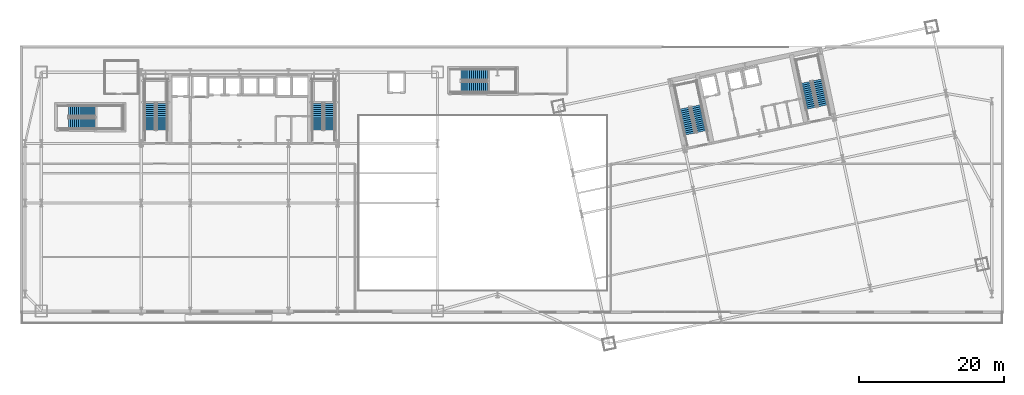
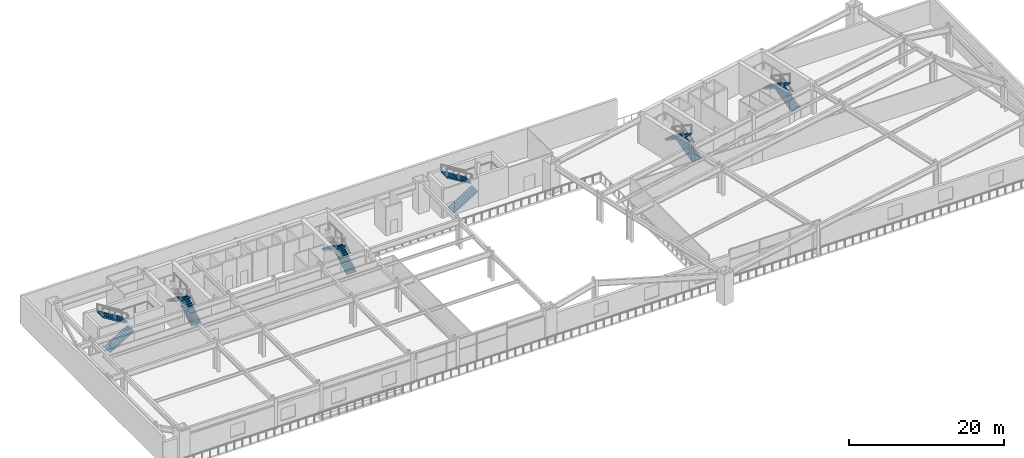
# One storey, part 16 of 28: 12 stair flights, 6 elements without a shape of their own.
"""IFC4 building model written with IfcOpenShell, lengths in metres."""

from ifc_helpers import new_model, si_unit, direction, frame, origin, place, context, subcontext, project, spatial, polyline, outline, extrude, material, type_object, element, aggregate, save


model = new_model("IFC4")

# Units and contexts
model_context = context("Model", 3, precision=1e-05, world=origin(), true_north=direction((0.0, 1.0)))
body_context = subcontext(model_context, "Body", "Model", "MODEL_VIEW")
ifc_project = project(units=[si_unit("LENGTHUNIT", "METRE"), si_unit("AREAUNIT", "SQUARE_METRE"), si_unit("VOLUMEUNIT", "CUBIC_METRE"), si_unit("PLANEANGLEUNIT", "RADIAN"), si_unit("MASSUNIT", "GRAM", prefix="KILO")], contexts=[model_context])

# Site, building, storey
site_placement = place(None, origin())
site = spatial("IfcSite", under=ifc_project, at=site_placement, CompositionType="ELEMENT")
building_placement = place(site_placement, origin())
building = spatial("IfcBuilding", under=site, at=building_placement, Name="Haevon Station Towers", CompositionType="ELEMENT")
storey_placement = place(building_placement, frame((0.0, 0.0, 10.800048828125)))
storey = spatial("IfcBuildingStorey", under=building, at=storey_placement, Name="L02", CompositionType="ELEMENT", Elevation=10.800048828125)

# Stair, stair flights
ifc_material = material(Name="Concrete C40/50", Category="concrete")
stair_type_1 = type_object("IfcStairType", Name="STR-DL1450", PredefinedType="USERDEFINED", material=ifc_material)
stair_1_placement = place(storey_placement, origin())
stair_1 = element("IfcStair", 1, at=stair_1_placement, inside=storey, type_object=stair_type_1, Name="L02 Escape Stair ST1", ObjectType="TWO_RETURN_STAIR", PredefinedType="USERDEFINED")
stair_flight_type_1 = type_object("IfcStairFlightType", Name="STF-ST1450", PredefinedType="STRAIGHT", material=ifc_material)
stair_flight_1_placement = place(storey_placement, frame((26.85498046875, 40.050048828125, 0.0), z_axis=(0.0, 0.0, 1.0), x_axis=(0.0, 1.0, 0.0)))
stair_flight_1 = element("IfcStairFlight", 2, at=stair_flight_1_placement, type_object=stair_flight_type_1, Name="L02 ST1 Flight 1", NumberOfRisers=14, NumberOfTreads=13, PredefinedType="STRAIGHT", RiserHeight=0.171428571, TreadLength=0.28, context=body_context, shape_type="SweptSolid", body=[
    extrude(outline(polyline([(0.0, 0.0), (0.0, 0.17138671875), (0.280029296875, 0.17138671875), (0.280029296875, 0.3427734375), (0.56005859375, 0.3427734375), (0.56005859375, 0.514404296875), (0.840087890625, 0.514404296875), (0.840087890625, 0.685791015625), (1.1201171875, 0.685791015625), (1.1201171875, 0.857177734375), (1.39990234375, 0.857177734375), (1.39990234375, 1.028564453125), (1.679931640625, 1.028564453125), (1.679931640625, 1.199951171875), (1.9599609375, 1.199951171875), (1.9599609375, 1.371337890625), (2.239990234375, 1.371337890625), (2.239990234375, 1.54296875), (2.52001953125, 1.54296875), (2.52001953125, 1.71435546875), (2.800048828125, 1.71435546875), (2.800048828125, 1.8857421875), (3.080078125, 1.8857421875), (3.080078125, 2.05712890625), (3.360107421875, 2.05712890625), (3.360107421875, 2.228515625), (3.639892578125, 2.228515625), (3.639892578125, 2.39990234375), (3.639892578125, 2.041015625), (0.30615234375, 0.0), (0.0, 0.0)])), frame((0.0, 0.72509765625, 0.0), z_axis=(0.0, -1.0, 0.0), x_axis=(1.0, 0.0, 0.0)), (0.0, 0.0, 1.0), 1.449951171875),
])
stair_flight_2_placement = place(storey_placement, frame((25.205078125, 43.68994140625, 2.39990234375), z_axis=(0.0, 0.0, 1.0), x_axis=(0.0, -1.0, 0.0)))
stair_flight_2 = element("IfcStairFlight", 3, at=stair_flight_2_placement, type_object=stair_flight_type_1, Name="L02 ST1 Flight 2", NumberOfRisers=14, NumberOfTreads=13, PredefinedType="STRAIGHT", RiserHeight=0.171428571, TreadLength=0.28, context=body_context, shape_type="SweptSolid", body=[
    extrude(outline(polyline([(0.0, 0.0), (0.0, 0.17138671875), (0.280029296875, 0.17138671875), (0.280029296875, 0.3427734375), (0.56005859375, 0.3427734375), (0.56005859375, 0.514404296875), (0.840087890625, 0.514404296875), (0.840087890625, 0.685791015625), (1.1201171875, 0.685791015625), (1.1201171875, 0.857177734375), (1.39990234375, 0.857177734375), (1.39990234375, 1.028564453125), (1.679931640625, 1.028564453125), (1.679931640625, 1.199951171875), (1.9599609375, 1.199951171875), (1.9599609375, 1.371337890625), (2.239990234375, 1.371337890625), (2.239990234375, 1.54296875), (2.52001953125, 1.54296875), (2.52001953125, 1.71435546875), (2.800048828125, 1.71435546875), (2.800048828125, 1.8857421875), (3.080078125, 1.8857421875), (3.080078125, 2.05712890625), (3.360107421875, 2.05712890625), (3.360107421875, 2.228515625), (3.639892578125, 2.228515625), (3.639892578125, 2.39990234375), (3.639892578125, 2.041015625), (0.30615234375, 0.0), (0.0, 0.0)])), frame((0.0, 0.72509765625, 0.0), z_axis=(0.0, -1.0, 0.0), x_axis=(1.0, 0.0, 0.0)), (0.0, 0.0, 1.0), 1.449951171875),
])
aggregate(stair_1, [stair_flight_1, stair_flight_2])

stair_2_placement = place(storey_placement, origin())
stair_2 = element("IfcStair", 4, at=stair_2_placement, inside=storey, type_object=stair_type_1, Name="L02 Escape Stair ST2", ObjectType="TWO_RETURN_STAIR", PredefinedType="USERDEFINED")
stair_flight_3_placement = place(storey_placement, frame((49.89501953125, 40.050048828125, 0.0), z_axis=(0.0, 0.0, 1.0), x_axis=(0.0, 1.0, 0.0)))
stair_flight_3 = element("IfcStairFlight", 5, at=stair_flight_3_placement, type_object=stair_flight_type_1, Name="L02 ST2 Flight 1", NumberOfRisers=14, NumberOfTreads=13, PredefinedType="STRAIGHT", RiserHeight=0.171428571, TreadLength=0.28, context=body_context, shape_type="SweptSolid", body=[
    extrude(outline(polyline([(0.0, 0.0), (0.0, 0.17138671875), (0.280029296875, 0.17138671875), (0.280029296875, 0.3427734375), (0.56005859375, 0.3427734375), (0.56005859375, 0.514404296875), (0.840087890625, 0.514404296875), (0.840087890625, 0.685791015625), (1.1201171875, 0.685791015625), (1.1201171875, 0.857177734375), (1.39990234375, 0.857177734375), (1.39990234375, 1.028564453125), (1.679931640625, 1.028564453125), (1.679931640625, 1.199951171875), (1.9599609375, 1.199951171875), (1.9599609375, 1.371337890625), (2.239990234375, 1.371337890625), (2.239990234375, 1.54296875), (2.52001953125, 1.54296875), (2.52001953125, 1.71435546875), (2.800048828125, 1.71435546875), (2.800048828125, 1.8857421875), (3.080078125, 1.8857421875), (3.080078125, 2.05712890625), (3.360107421875, 2.05712890625), (3.360107421875, 2.228515625), (3.639892578125, 2.228515625), (3.639892578125, 2.39990234375), (3.639892578125, 2.041015625), (0.30615234375, 0.0), (0.0, 0.0)])), frame((0.0, 0.72509765625, 0.0), z_axis=(0.0, -1.0, 0.0), x_axis=(1.0, 0.0, 0.0)), (0.0, 0.0, 1.0), 1.449951171875),
])
stair_flight_4_placement = place(storey_placement, frame((48.2451171875, 43.68994140625, 2.39990234375), z_axis=(0.0, 0.0, 1.0), x_axis=(0.0, -1.0, 0.0)))
stair_flight_4 = element("IfcStairFlight", 6, at=stair_flight_4_placement, type_object=stair_flight_type_1, Name="L02 ST2 Flight 2", NumberOfRisers=14, NumberOfTreads=13, PredefinedType="STRAIGHT", RiserHeight=0.171428571, TreadLength=0.28, context=body_context, shape_type="SweptSolid", body=[
    extrude(outline(polyline([(0.0, 0.0), (0.0, 0.17138671875), (0.280029296875, 0.17138671875), (0.280029296875, 0.3427734375), (0.56005859375, 0.3427734375), (0.56005859375, 0.514404296875), (0.840087890625, 0.514404296875), (0.840087890625, 0.685791015625), (1.1201171875, 0.685791015625), (1.1201171875, 0.857177734375), (1.39990234375, 0.857177734375), (1.39990234375, 1.028564453125), (1.679931640625, 1.028564453125), (1.679931640625, 1.199951171875), (1.9599609375, 1.199951171875), (1.9599609375, 1.371337890625), (2.239990234375, 1.371337890625), (2.239990234375, 1.54296875), (2.52001953125, 1.54296875), (2.52001953125, 1.71435546875), (2.800048828125, 1.71435546875), (2.800048828125, 1.8857421875), (3.080078125, 1.8857421875), (3.080078125, 2.05712890625), (3.360107421875, 2.05712890625), (3.360107421875, 2.228515625), (3.639892578125, 2.228515625), (3.639892578125, 2.39990234375), (3.639892578125, 2.041015625), (0.30615234375, 0.0), (0.0, 0.0)])), frame((0.0, 0.72509765625, 0.0), z_axis=(0.0, -1.0, 0.0), x_axis=(1.0, 0.0, 0.0)), (0.0, 0.0, 1.0), 1.449951171875),
])
aggregate(stair_2, [stair_flight_3, stair_flight_4])

stair_3_placement = place(storey_placement, origin())
stair_3 = element("IfcStair", 7, at=stair_3_placement, inside=storey, type_object=stair_type_1, Name="L02 Escape Stair ST3", ObjectType="TWO_RETURN_STAIR", PredefinedType="USERDEFINED")
stair_flight_5_placement = place(storey_placement, frame((101.1015625, 39.8330078125, 0.0), z_axis=(0.0, 0.0, 1.0), x_axis=(-0.207911690818, 0.978147600734, 0.0)))
stair_flight_5 = element("IfcStairFlight", 8, at=stair_flight_5_placement, type_object=stair_flight_type_1, Name="L02 ST3 Flight 1", NumberOfRisers=14, NumberOfTreads=13, PredefinedType="STRAIGHT", RiserHeight=0.171428571, TreadLength=0.28, context=body_context, shape_type="SweptSolid", body=[
    extrude(outline(polyline([(0.0, 0.0), (0.0, 0.17138671875), (0.280029296875, 0.17138671875), (0.280029296875, 0.3427734375), (0.56005859375, 0.3427734375), (0.56005859375, 0.514404296875), (0.840087890625, 0.514404296875), (0.840087890625, 0.685791015625), (1.1201171875, 0.685791015625), (1.1201171875, 0.857177734375), (1.39990234375, 0.857177734375), (1.39990234375, 1.028564453125), (1.679931640625, 1.028564453125), (1.679931640625, 1.199951171875), (1.9599609375, 1.199951171875), (1.9599609375, 1.371337890625), (2.239990234375, 1.371337890625), (2.239990234375, 1.54296875), (2.52001953125, 1.54296875), (2.52001953125, 1.71435546875), (2.800048828125, 1.71435546875), (2.800048828125, 1.8857421875), (3.080078125, 1.8857421875), (3.080078125, 2.05712890625), (3.360107421875, 2.05712890625), (3.360107421875, 2.228515625), (3.639892578125, 2.228515625), (3.639892578125, 2.39990234375), (3.639892578125, 2.041015625), (0.30615234375, 0.0), (0.0, 0.0)])), frame((0.0, 0.72509765625, 0.0), z_axis=(0.0, -1.0, 0.0), x_axis=(1.0, 0.0, 0.0)), (0.0, 0.0, 1.0), 1.449951171875),
])
stair_flight_6_placement = place(storey_placement, frame((98.73095703125, 43.050537109375, 2.39990234375), z_axis=(0.0, 0.0, 1.0), x_axis=(0.207911690818, -0.978147600734, 0.0)))
stair_flight_6 = element("IfcStairFlight", 9, at=stair_flight_6_placement, type_object=stair_flight_type_1, Name="L02 ST3 Flight 2", NumberOfRisers=14, NumberOfTreads=13, PredefinedType="STRAIGHT", RiserHeight=0.171428571, TreadLength=0.28, context=body_context, shape_type="SweptSolid", body=[
    extrude(outline(polyline([(0.0, 0.0), (0.0, 0.17138671875), (0.280029296875, 0.17138671875), (0.280029296875, 0.3427734375), (0.56005859375, 0.3427734375), (0.56005859375, 0.514404296875), (0.840087890625, 0.514404296875), (0.840087890625, 0.685791015625), (1.1201171875, 0.685791015625), (1.1201171875, 0.857177734375), (1.39990234375, 0.857177734375), (1.39990234375, 1.028564453125), (1.679931640625, 1.028564453125), (1.679931640625, 1.199951171875), (1.9599609375, 1.199951171875), (1.9599609375, 1.371337890625), (2.239990234375, 1.371337890625), (2.239990234375, 1.54296875), (2.52001953125, 1.54296875), (2.52001953125, 1.71435546875), (2.800048828125, 1.71435546875), (2.800048828125, 1.8857421875), (3.080078125, 1.8857421875), (3.080078125, 2.05712890625), (3.360107421875, 2.05712890625), (3.360107421875, 2.228515625), (3.639892578125, 2.228515625), (3.639892578125, 2.39990234375), (3.639892578125, 2.041015625), (0.30615234375, 0.0), (0.0, 0.0)])), frame((0.0, 0.72509765625, 0.0), z_axis=(0.0, -1.0, 0.0), x_axis=(1.0, 0.0, 0.0)), (0.0, 0.0, 1.0), 1.449951171875),
])
aggregate(stair_3, [stair_flight_5, stair_flight_6])

stair_4_placement = place(storey_placement, origin())
stair_4 = element("IfcStair", 10, at=stair_4_placement, inside=storey, type_object=stair_type_1, Name="L02 Escape Stair ST4", ObjectType="TWO_RETURN_STAIR", PredefinedType="USERDEFINED")
stair_flight_7_placement = place(storey_placement, frame((117.788818359375, 43.380126953125, 0.0), z_axis=(0.0, 0.0, 1.0), x_axis=(-0.207911690818, 0.978147600734, 0.0)))
stair_flight_7 = element("IfcStairFlight", 11, at=stair_flight_7_placement, type_object=stair_flight_type_1, Name="L02 ST4 Flight 1", NumberOfRisers=14, NumberOfTreads=13, PredefinedType="STRAIGHT", RiserHeight=0.171428571, TreadLength=0.28, context=body_context, shape_type="SweptSolid", body=[
    extrude(outline(polyline([(0.0, 0.0), (0.0, 0.17138671875), (0.280029296875, 0.17138671875), (0.280029296875, 0.3427734375), (0.56005859375, 0.3427734375), (0.56005859375, 0.514404296875), (0.840087890625, 0.514404296875), (0.840087890625, 0.685791015625), (1.1201171875, 0.685791015625), (1.1201171875, 0.857177734375), (1.39990234375, 0.857177734375), (1.39990234375, 1.028564453125), (1.679931640625, 1.028564453125), (1.679931640625, 1.199951171875), (1.9599609375, 1.199951171875), (1.9599609375, 1.371337890625), (2.239990234375, 1.371337890625), (2.239990234375, 1.54296875), (2.52001953125, 1.54296875), (2.52001953125, 1.71435546875), (2.800048828125, 1.71435546875), (2.800048828125, 1.8857421875), (3.080078125, 1.8857421875), (3.080078125, 2.05712890625), (3.360107421875, 2.05712890625), (3.360107421875, 2.228515625), (3.639892578125, 2.228515625), (3.639892578125, 2.39990234375), (3.639892578125, 2.041015625), (0.30615234375, 0.0), (0.0, 0.0)])), frame((0.0, 0.72509765625, 0.0), z_axis=(0.0, -1.0, 0.0), x_axis=(1.0, 0.0, 0.0)), (0.0, 0.0, 1.0), 1.449951171875),
])
stair_flight_8_placement = place(storey_placement, frame((115.418212890625, 46.597412109375, 2.39990234375), z_axis=(0.0, 0.0, 1.0), x_axis=(0.207911690818, -0.978147600734, 0.0)))
stair_flight_8 = element("IfcStairFlight", 12, at=stair_flight_8_placement, type_object=stair_flight_type_1, Name="L02 ST4 Flight 2", NumberOfRisers=14, NumberOfTreads=13, PredefinedType="STRAIGHT", RiserHeight=0.171428571, TreadLength=0.28, context=body_context, shape_type="SweptSolid", body=[
    extrude(outline(polyline([(0.0, 0.0), (0.0, 0.17138671875), (0.280029296875, 0.17138671875), (0.280029296875, 0.3427734375), (0.56005859375, 0.3427734375), (0.56005859375, 0.514404296875), (0.840087890625, 0.514404296875), (0.840087890625, 0.685791015625), (1.1201171875, 0.685791015625), (1.1201171875, 0.857177734375), (1.39990234375, 0.857177734375), (1.39990234375, 1.028564453125), (1.679931640625, 1.028564453125), (1.679931640625, 1.199951171875), (1.9599609375, 1.199951171875), (1.9599609375, 1.371337890625), (2.239990234375, 1.371337890625), (2.239990234375, 1.54296875), (2.52001953125, 1.54296875), (2.52001953125, 1.71435546875), (2.800048828125, 1.71435546875), (2.800048828125, 1.8857421875), (3.080078125, 1.8857421875), (3.080078125, 2.05712890625), (3.360107421875, 2.05712890625), (3.360107421875, 2.228515625), (3.639892578125, 2.228515625), (3.639892578125, 2.39990234375), (3.639892578125, 2.041015625), (0.30615234375, 0.0), (0.0, 0.0)])), frame((0.0, 0.72509765625, 0.0), z_axis=(0.0, -1.0, 0.0), x_axis=(1.0, 0.0, 0.0)), (0.0, 0.0, 1.0), 1.449951171875),
])
aggregate(stair_4, [stair_flight_7, stair_flight_8])

stair_type_2 = type_object("IfcStairType", Name="STR-DL1500", PredefinedType="USERDEFINED", material=ifc_material)
stair_5_placement = place(storey_placement, origin())
stair_5 = element("IfcStair", 13, at=stair_5_placement, inside=storey, type_object=stair_type_2, Name="L02 Escape Stair ST5", ObjectType="TWO_RETURN_STAIR", PredefinedType="USERDEFINED")
stair_flight_type_2 = type_object("IfcStairFlightType", Name="STF-ST1500", PredefinedType="STRAIGHT", material=ifc_material)
stair_flight_9_placement = place(storey_placement, frame((14.0, 40.949951171875, 0.0), z_axis=(0.0, 0.0, 1.0), x_axis=(1.0, 0.0, 0.0)))
stair_flight_9 = element("IfcStairFlight", 14, at=stair_flight_9_placement, type_object=stair_flight_type_2, Name="L02 ST5 Flight 1", NumberOfRisers=14, NumberOfTreads=13, PredefinedType="STRAIGHT", RiserHeight=0.171428571, TreadLength=0.28, context=body_context, shape_type="SweptSolid", body=[
    extrude(outline(polyline([(0.0, 0.0), (0.0, 0.17138671875), (0.280029296875, 0.17138671875), (0.280029296875, 0.3427734375), (0.56005859375, 0.3427734375), (0.56005859375, 0.514404296875), (0.840087890625, 0.514404296875), (0.840087890625, 0.685791015625), (1.1201171875, 0.685791015625), (1.1201171875, 0.857177734375), (1.39990234375, 0.857177734375), (1.39990234375, 1.028564453125), (1.679931640625, 1.028564453125), (1.679931640625, 1.199951171875), (1.9599609375, 1.199951171875), (1.9599609375, 1.371337890625), (2.239990234375, 1.371337890625), (2.239990234375, 1.54296875), (2.52001953125, 1.54296875), (2.52001953125, 1.71435546875), (2.800048828125, 1.71435546875), (2.800048828125, 1.8857421875), (3.080078125, 1.8857421875), (3.080078125, 2.05712890625), (3.360107421875, 2.05712890625), (3.360107421875, 2.228515625), (3.639892578125, 2.228515625), (3.639892578125, 2.39990234375), (3.639892578125, 2.041015625), (0.30615234375, 0.0), (0.0, 0.0)])), frame((0.0, 0.75, 0.0), z_axis=(0.0, -1.0, 0.0), x_axis=(1.0, 0.0, 0.0)), (0.0, 0.0, 1.0), 1.5),
])
stair_flight_10_placement = place(storey_placement, frame((17.639892578125, 42.64990234375, 2.39990234375), z_axis=(0.0, 0.0, 1.0), x_axis=(-1.0, 0.0, 0.0)))
stair_flight_10 = element("IfcStairFlight", 15, at=stair_flight_10_placement, type_object=stair_flight_type_2, Name="L02 ST5 Flight 2", NumberOfRisers=14, NumberOfTreads=13, PredefinedType="STRAIGHT", RiserHeight=0.171428571, TreadLength=0.28, context=body_context, shape_type="SweptSolid", body=[
    extrude(outline(polyline([(0.0, 0.0), (0.0, 0.17138671875), (0.280029296875, 0.17138671875), (0.280029296875, 0.3427734375), (0.56005859375, 0.3427734375), (0.56005859375, 0.514404296875), (0.840087890625, 0.514404296875), (0.840087890625, 0.685791015625), (1.1201171875, 0.685791015625), (1.1201171875, 0.857177734375), (1.39990234375, 0.857177734375), (1.39990234375, 1.028564453125), (1.679931640625, 1.028564453125), (1.679931640625, 1.199951171875), (1.9599609375, 1.199951171875), (1.9599609375, 1.371337890625), (2.239990234375, 1.371337890625), (2.239990234375, 1.54296875), (2.52001953125, 1.54296875), (2.52001953125, 1.71435546875), (2.800048828125, 1.71435546875), (2.800048828125, 1.8857421875), (3.080078125, 1.8857421875), (3.080078125, 2.05712890625), (3.360107421875, 2.05712890625), (3.360107421875, 2.228515625), (3.639892578125, 2.228515625), (3.639892578125, 2.39990234375), (3.639892578125, 2.041015625), (0.30615234375, 0.0), (0.0, 0.0)])), frame((0.0, 0.75, 0.0), z_axis=(0.0, -1.0, 0.0), x_axis=(1.0, 0.0, 0.0)), (0.0, 0.0, 1.0), 1.5),
])
aggregate(stair_5, [stair_flight_9, stair_flight_10])

stair_6_placement = place(storey_placement, origin())
stair_6 = element("IfcStair", 16, at=stair_6_placement, inside=storey, type_object=stair_type_2, Name="L02 Escape Stair ST6", ObjectType="TWO_RETURN_STAIR", PredefinedType="USERDEFINED")
stair_flight_11_placement = place(storey_placement, frame((68.0, 45.949951171875, 0.0), z_axis=(0.0, 0.0, 1.0), x_axis=(1.0, 0.0, 0.0)))
stair_flight_11 = element("IfcStairFlight", 17, at=stair_flight_11_placement, type_object=stair_flight_type_2, Name="L02 ST6 Flight 1", NumberOfRisers=14, NumberOfTreads=13, PredefinedType="STRAIGHT", RiserHeight=0.171428571, TreadLength=0.28, context=body_context, shape_type="SweptSolid", body=[
    extrude(outline(polyline([(0.0, 0.0), (0.0, 0.17138671875), (0.280029296875, 0.17138671875), (0.280029296875, 0.3427734375), (0.56005859375, 0.3427734375), (0.56005859375, 0.514404296875), (0.840087890625, 0.514404296875), (0.840087890625, 0.685791015625), (1.1201171875, 0.685791015625), (1.1201171875, 0.857177734375), (1.39990234375, 0.857177734375), (1.39990234375, 1.028564453125), (1.679931640625, 1.028564453125), (1.679931640625, 1.199951171875), (1.9599609375, 1.199951171875), (1.9599609375, 1.371337890625), (2.239990234375, 1.371337890625), (2.239990234375, 1.54296875), (2.52001953125, 1.54296875), (2.52001953125, 1.71435546875), (2.800048828125, 1.71435546875), (2.800048828125, 1.8857421875), (3.080078125, 1.8857421875), (3.080078125, 2.05712890625), (3.360107421875, 2.05712890625), (3.360107421875, 2.228515625), (3.639892578125, 2.228515625), (3.639892578125, 2.39990234375), (3.639892578125, 2.041015625), (0.30615234375, 0.0), (0.0, 0.0)])), frame((0.0, 0.75, 0.0), z_axis=(0.0, -1.0, 0.0), x_axis=(1.0, 0.0, 0.0)), (0.0, 0.0, 1.0), 1.5),
])
stair_flight_12_placement = place(storey_placement, frame((71.639892578125, 47.64990234375, 2.39990234375), z_axis=(0.0, 0.0, 1.0), x_axis=(-1.0, 0.0, 0.0)))
stair_flight_12 = element("IfcStairFlight", 18, at=stair_flight_12_placement, type_object=stair_flight_type_2, Name="L02 ST6 Flight 2", NumberOfRisers=14, NumberOfTreads=13, PredefinedType="STRAIGHT", RiserHeight=0.171428571, TreadLength=0.28, context=body_context, shape_type="SweptSolid", body=[
    extrude(outline(polyline([(0.0, 0.0), (0.0, 0.17138671875), (0.280029296875, 0.17138671875), (0.280029296875, 0.3427734375), (0.56005859375, 0.3427734375), (0.56005859375, 0.514404296875), (0.840087890625, 0.514404296875), (0.840087890625, 0.685791015625), (1.1201171875, 0.685791015625), (1.1201171875, 0.857177734375), (1.39990234375, 0.857177734375), (1.39990234375, 1.028564453125), (1.679931640625, 1.028564453125), (1.679931640625, 1.199951171875), (1.9599609375, 1.199951171875), (1.9599609375, 1.371337890625), (2.239990234375, 1.371337890625), (2.239990234375, 1.54296875), (2.52001953125, 1.54296875), (2.52001953125, 1.71435546875), (2.800048828125, 1.71435546875), (2.800048828125, 1.8857421875), (3.080078125, 1.8857421875), (3.080078125, 2.05712890625), (3.360107421875, 2.05712890625), (3.360107421875, 2.228515625), (3.639892578125, 2.228515625), (3.639892578125, 2.39990234375), (3.639892578125, 2.041015625), (0.30615234375, 0.0), (0.0, 0.0)])), frame((0.0, 0.75, 0.0), z_axis=(0.0, -1.0, 0.0), x_axis=(1.0, 0.0, 0.0)), (0.0, 0.0, 1.0), 1.5),
])
aggregate(stair_6, [stair_flight_11, stair_flight_12])

save(model, "model.ifc")
